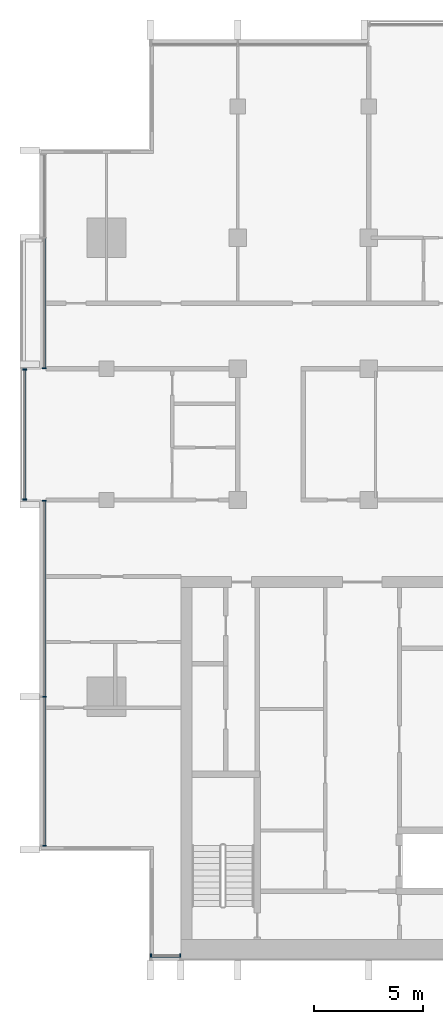
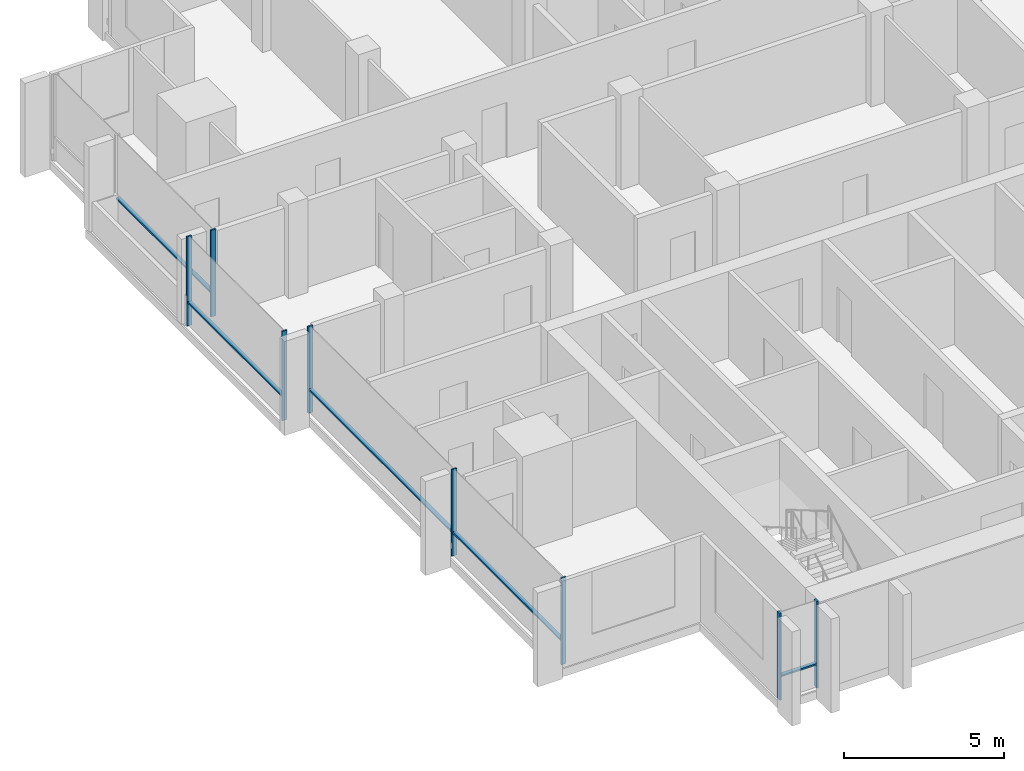
# One storey, part 2 of 16: 13 members, 4 elements without a shape of their own.
"""IFC4 building model written with IfcOpenShell, lengths in metres."""

from ifc_helpers import new_model, si_unit, direction, frame, origin, origin_2d, place, context, subcontext, project, spatial, rectangle, extrude, material, material_profile, profile_set, type_object, element, aggregate, save


model = new_model("IFC4")

# Units and contexts
model_context = context("Model", 3, precision=1e-05, world=origin(), true_north=direction((0.0, 1.0)))
body_context = subcontext(model_context, "Body", "Model", "MODEL_VIEW")
ifc_project = project(units=[si_unit("LENGTHUNIT", "METRE"), si_unit("AREAUNIT", "SQUARE_METRE"), si_unit("VOLUMEUNIT", "CUBIC_METRE"), si_unit("PLANEANGLEUNIT", "RADIAN"), si_unit("MASSUNIT", "GRAM", prefix="KILO")], contexts=[model_context])

# Site, building, storey
site_placement = place(None, origin())
site = spatial("IfcSite", under=ifc_project, at=site_placement, CompositionType="ELEMENT")
building_placement = place(site_placement, origin())
building = spatial("IfcBuilding", under=site, at=building_placement, Name="Finial Court Residences", CompositionType="ELEMENT")
storey_placement = place(building_placement, frame((0.0, 0.0, 262.699951171875)))
storey = spatial("IfcBuildingStorey", under=building, at=storey_placement, Name="L66", CompositionType="ELEMENT", Elevation=262.699951171875)

# Curtain wall, members
ifc_material = material(Name="Bronze anodised aluminium", Category="aluminium")
curtain_wall_type = type_object("IfcCurtainWallType", Name="Unitised curtain wall, upper zones", PredefinedType="NOTDEFINED", material=ifc_material)
curtain_wall_1_placement = place(storey_placement, origin())
curtain_wall_1 = element("IfcCurtainWall", 1, at=curtain_wall_1_placement, inside=storey, type_object=curtain_wall_type, Name="E-L66-CW-S7", PredefinedType="NOTDEFINED")
ifc_material_profile_1 = material_profile(ifc_material, rectangle(XDim=0.175048828125, YDim=0.06005859375, at=origin_2d()), Name="CW2 mullion 60 x 175")
ifc_profile_set_1 = profile_set([ifc_material_profile_1], Name="Bronze anodised aluminium")
member_type_1 = type_object("IfcMemberType", Name="CW2 mullion 60 x 175", PredefinedType="MULLION", material=ifc_profile_set_1)
member_1_placement = place(storey_placement, frame((-14.469970703125, -25.35009765625, 0.0), z_axis=(0.0, 0.0, 1.0), x_axis=(0.0, 1.0, 0.0)))
member_1 = element("IfcMember", 2, at=member_1_placement, type_object=member_type_1, Name="CW2 mullion 1", PredefinedType="MULLION", context=body_context, shape_type="SweptSolid", body=[
    extrude(rectangle(XDim=0.175048828125, YDim=0.06005859375, at=origin_2d()), origin(), (0.0, 0.0, 1.0), 3.300048828125),
])
member_2_placement = place(storey_placement, frame((-13.1298828125, -25.35009765625, 0.0), z_axis=(0.0, 0.0, 1.0), x_axis=(0.0, 1.0, 0.0)))
member_2 = element("IfcMember", 3, at=member_2_placement, type_object=member_type_1, Name="CW2 mullion 2", PredefinedType="MULLION", context=body_context, shape_type="SweptSolid", body=[
    extrude(rectangle(XDim=0.175048828125, YDim=0.06005859375, at=origin_2d()), origin(), (0.0, 0.0, 1.0), 3.300048828125),
])

curtain_wall_2_placement = place(storey_placement, origin())
curtain_wall_2 = element("IfcCurtainWall", 4, at=curtain_wall_2_placement, inside=storey, type_object=curtain_wall_type, Name="E-L66-CW-W9", PredefinedType="NOTDEFINED")
member_3_placement = place(storey_placement, frame((-19.35009765625, -20.320068359375, 0.0), z_axis=(0.0, 0.0, 1.0), x_axis=(-1.0, 0.0, 0.0)))
member_3 = element("IfcMember", 5, at=member_3_placement, type_object=member_type_1, Name="CW2 mullion 1", PredefinedType="MULLION", context=body_context, shape_type="SweptSolid", body=[
    extrude(rectangle(XDim=0.175048828125, YDim=0.06005859375, at=origin_2d()), origin(), (0.0, 0.0, 1.0), 3.300048828125),
])
member_4_placement = place(storey_placement, frame((-19.35009765625, -13.5, 0.0), z_axis=(0.0, 0.0, 1.0), x_axis=(-1.0, 0.0, 0.0)))
member_4 = element("IfcMember", 6, at=member_4_placement, type_object=member_type_1, Name="CW2 mullion 2", PredefinedType="MULLION", context=body_context, shape_type="SweptSolid", body=[
    extrude(rectangle(XDim=0.175048828125, YDim=0.06005859375, at=origin_2d()), origin(), (0.0, 0.0, 1.0), 3.300048828125),
])
member_5_placement = place(storey_placement, frame((-19.35009765625, -4.530029296875, 0.0), z_axis=(0.0, 0.0, 1.0), x_axis=(-1.0, 0.0, 0.0)))
member_5 = element("IfcMember", 7, at=member_5_placement, type_object=member_type_1, Name="CW2 mullion 3", PredefinedType="MULLION", context=body_context, shape_type="SweptSolid", body=[
    extrude(rectangle(XDim=0.175048828125, YDim=0.06005859375, at=origin_2d()), origin(), (0.0, 0.0, 1.0), 3.300048828125),
])

curtain_wall_3_placement = place(storey_placement, origin())
curtain_wall_3 = element("IfcCurtainWall", 8, at=curtain_wall_3_placement, inside=storey, type_object=curtain_wall_type, Name="E-L66-CW-W10", PredefinedType="NOTDEFINED")
member_6_placement = place(storey_placement, frame((-20.25, -4.469970703125, 0.0), z_axis=(0.0, 0.0, 1.0), x_axis=(-1.0, 0.0, 0.0)))
member_6 = element("IfcMember", 9, at=member_6_placement, type_object=member_type_1, Name="CW2 mullion 1", PredefinedType="MULLION", context=body_context, shape_type="SweptSolid", body=[
    extrude(rectangle(XDim=0.175048828125, YDim=0.06005859375, at=origin_2d()), origin(), (0.0, 0.0, 1.0), 3.400146484375),
])
member_7_placement = place(storey_placement, frame((-20.25, 1.469970703125, 0.0), z_axis=(0.0, 0.0, 1.0), x_axis=(-1.0, 0.0, 0.0)))
member_7 = element("IfcMember", 10, at=member_7_placement, type_object=member_type_1, Name="CW2 mullion 2", PredefinedType="MULLION", context=body_context, shape_type="SweptSolid", body=[
    extrude(rectangle(XDim=0.175048828125, YDim=0.06005859375, at=origin_2d()), origin(), (0.0, 0.0, 1.0), 3.400146484375),
])

# Curtain wall, member
curtain_wall_4_placement = place(storey_placement, origin())
curtain_wall_4 = element("IfcCurtainWall", 11, at=curtain_wall_4_placement, inside=storey, type_object=curtain_wall_type, Name="E-L66-CW-W11", PredefinedType="NOTDEFINED")
member_8_placement = place(storey_placement, frame((-19.35009765625, 1.530029296875, 0.0), z_axis=(0.0, 0.0, 1.0), x_axis=(-1.0, 0.0, 0.0)))
member_8 = element("IfcMember", 12, at=member_8_placement, type_object=member_type_1, Name="CW2 mullion 1", PredefinedType="MULLION", context=body_context, shape_type="SweptSolid", body=[
    extrude(rectangle(XDim=0.175048828125, YDim=0.06005859375, at=origin_2d()), origin(), (0.0, 0.0, 1.0), 3.300048828125),
])

# Member
ifc_material_profile_2 = material_profile(ifc_material, rectangle(XDim=0.139892578125, YDim=0.06005859375, at=origin_2d()), Name="CW2 transom 60 x 140")
ifc_profile_set_2 = profile_set([ifc_material_profile_2], Name="Bronze anodised aluminium")
member_type_2 = type_object("IfcMemberType", Name="CW2 transom 60 x 140", PredefinedType="USERDEFINED", material=ifc_profile_set_2)
member_9_placement = place(storey_placement, frame((-14.43994140625, -25.35009765625, 0.900146484375), z_axis=(1.0, 0.0, 0.0), x_axis=(0.0, 1.0, 0.0)))
member_9 = element("IfcMember", 13, at=member_9_placement, type_object=member_type_2, Name="CW2 transom 1.1", ObjectType="TRANSOM", PredefinedType="USERDEFINED", context=body_context, shape_type="SweptSolid", body=[
    extrude(rectangle(XDim=0.139892578125, YDim=0.06005859375, at=origin_2d()), origin(), (0.0, 0.0, 1.0), 1.280029296875),
])

aggregate(curtain_wall_1, [member_1, member_2, member_9])

member_10_placement = place(storey_placement, frame((-19.35009765625, -20.2900390625, 0.900146484375), z_axis=(0.0, 1.0, 0.0), x_axis=(-1.0, 0.0, 0.0)))
member_10 = element("IfcMember", 14, at=member_10_placement, type_object=member_type_2, Name="CW2 transom 1.1", ObjectType="TRANSOM", PredefinedType="USERDEFINED", context=body_context, shape_type="SweptSolid", body=[
    extrude(rectangle(XDim=0.139892578125, YDim=0.06005859375, at=origin_2d()), origin(), (0.0, 0.0, 1.0), 6.760009765625),
])

member_11_placement = place(storey_placement, frame((-19.35009765625, -13.469970703125, 0.900146484375), z_axis=(0.0, 1.0, 0.0), x_axis=(-1.0, 0.0, 0.0)))
member_11 = element("IfcMember", 15, at=member_11_placement, type_object=member_type_2, Name="CW2 transom 2.1", ObjectType="TRANSOM", PredefinedType="USERDEFINED", context=body_context, shape_type="SweptSolid", body=[
    extrude(rectangle(XDim=0.139892578125, YDim=0.06005859375, at=origin_2d()), origin(), (0.0, 0.0, 1.0), 8.909912109375),
])

aggregate(curtain_wall_2, [member_3, member_4, member_5, member_10, member_11])

member_12_placement = place(storey_placement, frame((-20.25, -4.43994140625, 0.900146484375), z_axis=(0.0, 1.0, 0.0), x_axis=(-1.0, 0.0, 0.0)))
member_12 = element("IfcMember", 16, at=member_12_placement, type_object=member_type_2, Name="CW2 transom 1.1", ObjectType="TRANSOM", PredefinedType="USERDEFINED", context=body_context, shape_type="SweptSolid", body=[
    extrude(rectangle(XDim=0.139892578125, YDim=0.06005859375, at=origin_2d()), origin(), (0.0, 0.0, 1.0), 5.8798828125),
])

aggregate(curtain_wall_3, [member_6, member_7, member_12])

member_13_placement = place(storey_placement, frame((-19.35009765625, 1.56005859375, 0.900146484375), z_axis=(0.0, 1.0, 0.0), x_axis=(-1.0, 0.0, 0.0)))
member_13 = element("IfcMember", 17, at=member_13_placement, type_object=member_type_2, Name="CW2 transom 1.1", ObjectType="TRANSOM", PredefinedType="USERDEFINED", context=body_context, shape_type="SweptSolid", body=[
    extrude(rectangle(XDim=0.139892578125, YDim=0.06005859375, at=origin_2d()), origin(), (0.0, 0.0, 1.0), 5.909912109375),
])

aggregate(curtain_wall_4, [member_8, member_13])

save(model, "model.ifc")
